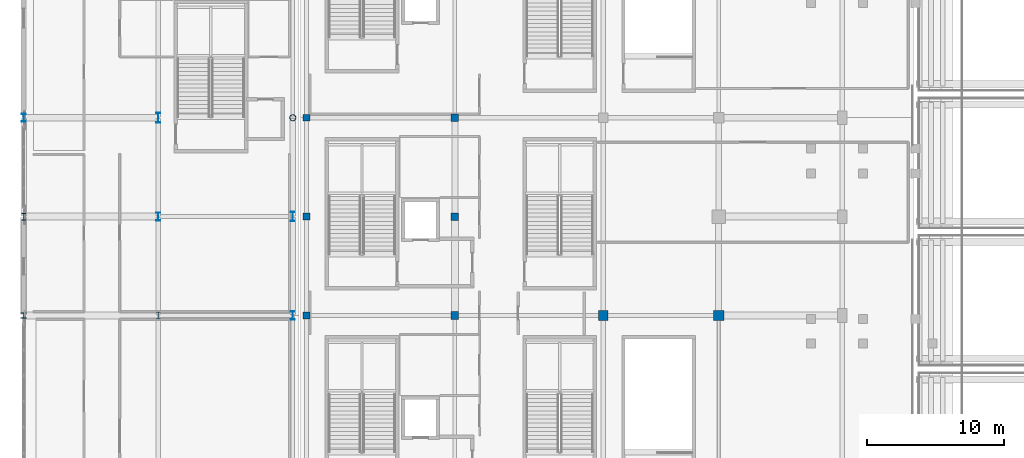
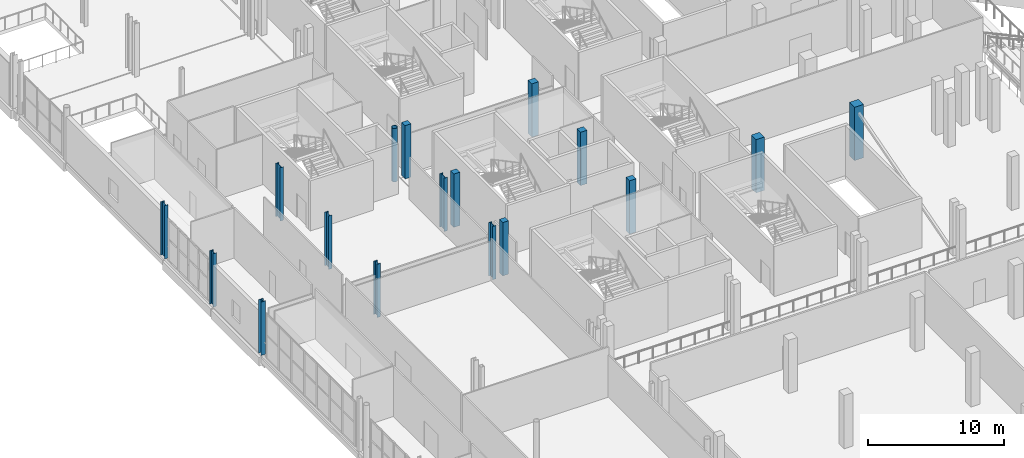
# One storey, part 3 of 129: 17 columns.
"""IFC4 building model written with IfcOpenShell, lengths in metres."""

import ifcopenshell
import ifcopenshell.guid

model = None  # the IFC model being written
_history = None  # IfcOwnerHistory: only IFC2X3 demands one
_inside = {}  # id of a spatial element -> (the spatial element, [elements in it])
_under = {}  # id of a project, library or spatial element -> (it, [spatial elements below it])
_declared = {}  # id of a project -> (the project, [libraries it declares])
_typed = {}  # id of a type object -> (the type object, [elements of that type])
_made_of = {}  # id of a material, layer set ... -> (it, [elements and type objects made of it])


def new_model(schema):
    """Start an empty IFC model of exactly this schema.

    Asked for "IFC4X3", IfcOpenShell would pick the latest addendum, in which some entities
    have other attributes; the version numbers below select the first issue.
    IFC2X3 requires an IfcOwnerHistory on every rooted entity: one is made here for all.
    """
    global model, _history
    if schema == "IFC4X3":
        model = ifcopenshell.file(schema_version=(4, 3, 0, 0))
    else:
        model = ifcopenshell.file(schema=schema)
    _inside.clear()
    _under.clear()
    _declared.clear()
    _typed.clear()
    _made_of.clear()
    _history = None
    if model.schema == "IFC2X3":
        org = make("IfcOrganization", Name="unknown")
        user = make(
            "IfcPersonAndOrganization",
            ThePerson=make("IfcPerson", FamilyName="unknown"),
            TheOrganization=org,
        )
        app = make(
            "IfcApplication",
            ApplicationDeveloper=org,
            Version="unknown",
            ApplicationFullName="unknown",
            ApplicationIdentifier="unknown",
        )
        _history = make(
            "IfcOwnerHistory",
            OwningUser=user,
            OwningApplication=app,
            ChangeAction="ADDED",
            CreationDate=0,
        )
    return model


def make(cls, **values):
    """One entity of the class cls with the attributes given. An attribute that is None is left unset."""
    return model.create_entity(
        cls, **{name: value for name, value in values.items() if value is not None}
    )


def rooted(cls, **values):
    """An entity with a GlobalId (a new one), such as an element, a storey or a relation."""
    return make(cls, GlobalId=ifcopenshell.guid.new(), OwnerHistory=_history, **values)


def si_unit(unit_type, name, prefix=None):
    """IfcSIUnit, for example si_unit("LENGTHUNIT", "METRE", prefix="MILLI")."""
    return make("IfcSIUnit", UnitType=unit_type, Prefix=prefix, Name=name)


def assignment(units):
    """IfcUnitAssignment: the units of a project."""
    return None if units is None else make("IfcUnitAssignment", Units=units)


def point(xyz):
    """IfcCartesianPoint."""
    return None if xyz is None else make("IfcCartesianPoint", Coordinates=xyz)


def direction(xyz):
    """IfcDirection."""
    return None if xyz is None else make("IfcDirection", DirectionRatios=xyz)


def frame(location, z_axis=None, x_axis=None):
    """IfcAxis2Placement3D, a coordinate frame: its origin and axes. An axis left out is left unset."""
    return make(
        "IfcAxis2Placement3D",
        Location=point(location),
        Axis=direction(z_axis),
        RefDirection=direction(x_axis),
    )


def frame_2d(location, x_axis=None):
    """IfcAxis2Placement2D, a coordinate frame in the plane: its origin and x axis."""
    return make(
        "IfcAxis2Placement2D", Location=point(location), RefDirection=direction(x_axis)
    )


def origin():
    """The frame at (0, 0, 0) with its axes left unset."""
    return frame((0.0, 0.0, 0.0))


def origin_2d():
    """The frame at (0, 0) in the plane with its x axis left unset."""
    return frame_2d((0.0, 0.0))


def place(relative_to, where):
    """IfcLocalPlacement: puts the frame where relative to a parent placement (None: the world)."""
    return make(
        "IfcLocalPlacement", PlacementRelTo=relative_to, RelativePlacement=where
    )


def context(
    kind, dimensions, precision=None, world=None, true_north=None, identifier=None
):
    """IfcGeometricRepresentationContext, for example the 3D "Model" context."""
    return make(
        "IfcGeometricRepresentationContext",
        ContextIdentifier=identifier,
        ContextType=kind,
        CoordinateSpaceDimension=dimensions,
        Precision=precision,
        WorldCoordinateSystem=world,
        TrueNorth=true_north,
    )


def subcontext(parent, identifier, kind, view, scale=None):
    """IfcGeometricRepresentationSubContext, for example "Body" below "Model"."""
    return make(
        "IfcGeometricRepresentationSubContext",
        ContextIdentifier=identifier,
        ContextType=kind,
        ParentContext=parent,
        TargetScale=scale,
        TargetView=view,
    )


def project(units=None, contexts=None):
    """IfcProject with its units and contexts."""
    return rooted(
        "IfcProject",
        Name="project",
        RepresentationContexts=contexts,
        UnitsInContext=assignment(units),
    )


def spatial(cls, under=None, at=None, **own):
    """A site, building, storey or space (cls), placed at a placement, below another one or the project."""
    s = rooted(cls, ObjectPlacement=at, **own)
    if under is not None:
        _under.setdefault(under.id(), (under, []))[1].append(s)
    return s


def profile(cls, at=None, kind="AREA", **sizes):
    """A parametric profile (cls). Its sizes go by their IFC names, for example OverallWidth=200.0."""
    return make(cls, ProfileType=kind, Position=at, **sizes)


def rectangle(**sizes):
    """IfcRectangleProfileDef."""
    return profile("IfcRectangleProfileDef", **sizes)


def hollow_circle(**sizes):
    """IfcCircleHollowProfileDef."""
    return profile("IfcCircleHollowProfileDef", **sizes)


def i_section(**sizes):
    """IfcIShapeProfileDef."""
    return profile("IfcIShapeProfileDef", **sizes)


def extrude(swept, where, along, depth):
    """IfcExtrudedAreaSolid: the profile swept, set in the frame where, extruded along a direction by depth."""
    return make(
        "IfcExtrudedAreaSolid",
        SweptArea=swept,
        Position=where,
        ExtrudedDirection=direction(along),
        Depth=depth,
    )


def shape(context_of_items, identifier, shape_type, items):
    """IfcShapeRepresentation: the items that make up one representation, for example the "Body"."""
    return make(
        "IfcShapeRepresentation",
        ContextOfItems=context_of_items,
        RepresentationIdentifier=identifier,
        RepresentationType=shape_type,
        Items=items,
    )


def material(Name=None, Category=None):
    """IfcMaterial."""
    return make("IfcMaterial", Name=Name, Category=Category)


def material_profile(
    of_material, cross_section, Name=None, Category=None, Priority=None
):
    """IfcMaterialProfile: a cross section and its material."""
    return make(
        "IfcMaterialProfile",
        Name=Name,
        Material=of_material,
        Profile=cross_section,
        Priority=Priority,
        Category=Category,
    )


def profile_set(profiles, Name=None, composite=None):
    """IfcMaterialProfileSet."""
    return make(
        "IfcMaterialProfileSet",
        Name=Name,
        MaterialProfiles=profiles,
        CompositeProfile=composite,
    )


def made_of(thing, what):
    """Note that an element or type object is made of a material, layer set ...; save() writes the relation."""
    if what is not None:
        _made_of.setdefault(what.id(), (what, []))[1].append(thing)
    return thing


def type_object(cls, material=None, **own):
    """A type object (cls), such as IfcWallType, which elements share."""
    return made_of(rooted(cls, **own), material)


def element(
    cls,
    number,
    at=None,
    inside=None,
    cuts=None,
    type_object=None,
    material=None,
    context=None,
    identifier="Body",
    shape_type=None,
    held_by="IfcProductDefinitionShape",
    body=None,
    shapes=None,
    **own,
):
    """One element of the class cls, such as IfcWall. Its Tag is "e" and its number.

    at: its placement. inside: the storey or other place that contains it. cuts: it is an
    opening in that element (IfcRelVoidsElement). A single representation is given by context,
    identifier, shape_type and body (its items); several are given by shapes. held_by: the class
    of the entity that holds the representations. save() writes the other relations.
    """
    e = rooted(cls, Tag="e%d" % number, ObjectPlacement=at, **own)
    if body is not None:
        shapes = [shape(context, identifier, shape_type, body)]
    if shapes is not None:
        e.Representation = make(held_by, Representations=shapes)
    if inside is not None:
        _inside.setdefault(inside.id(), (inside, []))[1].append(e)
    if cuts is not None:
        rooted(
            "IfcRelVoidsElement", RelatingBuildingElement=cuts, RelatedOpeningElement=e
        )
    if type_object is not None:
        _typed.setdefault(type_object.id(), (type_object, []))[1].append(e)
    return made_of(e, material)


def aggregate(whole, parts):
    """IfcRelAggregates: a whole, such as a stair, and the parts it consists of."""
    return rooted("IfcRelAggregates", RelatingObject=whole, RelatedObjects=parts)


def save(model, path):
    """Write the relations noted so far, then the file.

    IfcRelAggregates (storeys below a building ...), IfcRelContainedInSpatialStructure (elements
    in a storey), IfcRelDefinesByType, IfcRelAssociatesMaterial and IfcRelDeclares: one each for
    every whole, place, type object, material and project.
    """
    for whole, parts in _under.values():
        aggregate(whole, parts)
    for where, things in _inside.values():
        rooted(
            "IfcRelContainedInSpatialStructure",
            RelatedElements=things,
            RelatingStructure=where,
        )
    for kind, things in _typed.values():
        rooted("IfcRelDefinesByType", RelatedObjects=things, RelatingType=kind)
    for what, things in _made_of.values():
        rooted("IfcRelAssociatesMaterial", RelatedObjects=things, RelatingMaterial=what)
    for by, libraries in _declared.values():
        rooted("IfcRelDeclares", RelatingContext=by, RelatedDefinitions=libraries)
    model.write(path)


model = new_model("IFC4")

# Units and contexts
model_context = context("Model", 3, precision=1e-05, world=origin(), true_north=direction((0.0, 1.0)))
body_context = subcontext(model_context, "Body", "Model", "MODEL_VIEW")
ifc_project = project(units=[si_unit("LENGTHUNIT", "METRE"), si_unit("AREAUNIT", "SQUARE_METRE"), si_unit("VOLUMEUNIT", "CUBIC_METRE"), si_unit("PLANEANGLEUNIT", "RADIAN"), si_unit("MASSUNIT", "GRAM", prefix="KILO")], contexts=[model_context])

# Site, building, storey
site_placement = place(None, origin())
site = spatial("IfcSite", under=ifc_project, at=site_placement, CompositionType="ELEMENT")
building_placement = place(site_placement, origin())
building = spatial("IfcBuilding", under=site, at=building_placement, Name="Koshinbarg Plaza Stadium", CompositionType="ELEMENT")
storey_placement = place(building_placement, frame((0.0, 0.0, 5.39990234375)))
storey = spatial("IfcBuildingStorey", under=building, at=storey_placement, Name="L01", CompositionType="ELEMENT", Elevation=5.39990234375)

# Columns
ifc_material_1 = material(Name="Concrete C40/50", Category="concrete")
ifc_material_profile_1 = material_profile(ifc_material_1, rectangle(XDim=0.5, YDim=0.5, at=origin_2d()), Name="RC 500x500")
ifc_profile_set_1 = profile_set([ifc_material_profile_1], Name="Concrete C40/50")
column_type_1 = type_object("IfcColumnType", Name="COL-RC-02", PredefinedType="COLUMN", material=ifc_profile_set_1)
for number, where, z_axis, x_axis, name in (
    (1, (24.60009765625, 39.89990234375, 0.0), (0.0, 0.0, 1.0), (1.0, 0.0, 0.0), "L01 column 5/F"),
    (2, (24.60009765625, 47.10009765625, 0.0), (0.0, 0.0, 1.0), (1.0, 0.0, 0.0), "L01 column 5/G"),
    (3, (24.60009765625, 54.300048828125, 0.0), (0.0, 0.0, 1.0), (1.0, 0.0, 0.0), "L01 column 5/H"),
):
    element("IfcColumn", number, at=place(storey_placement, frame(where, z_axis=z_axis, x_axis=x_axis)), inside=storey, type_object=column_type_1, Name=name, PredefinedType="COLUMN", context=body_context, shape_type="SweptSolid", body=[
        extrude(rectangle(XDim=0.5, YDim=0.5, at=origin_2d()), origin(), (0.0, 0.0, 1.0), 4.800048828125),
    ])
ifc_material_profile_2 = material_profile(ifc_material_1, rectangle(XDim=0.550048828125, YDim=0.550048828125, at=origin_2d()), Name="RC 550x550")
ifc_profile_set_2 = profile_set([ifc_material_profile_2], Name="Concrete C40/50")
column_type_2 = type_object("IfcColumnType", Name="COL-RC-03", PredefinedType="COLUMN", material=ifc_profile_set_2)
for number, where, z_axis, x_axis, name in (
    (4, (35.39990234375, 39.89990234375, 0.0), (0.0, 0.0, 1.0), (1.0, 0.0, 0.0), "L01 column 6/F"),
    (5, (35.39990234375, 47.10009765625, 0.0), (0.0, 0.0, 1.0), (1.0, 0.0, 0.0), "L01 column 6/G"),
    (6, (35.39990234375, 54.300048828125, 0.0), (0.0, 0.0, 1.0), (1.0, 0.0, 0.0), "L01 column 6/H"),
):
    element("IfcColumn", number, at=place(storey_placement, frame(where, z_axis=z_axis, x_axis=x_axis)), inside=storey, type_object=column_type_2, Name=name, PredefinedType="COLUMN", context=body_context, shape_type="SweptSolid", body=[
        extrude(rectangle(XDim=0.550048828125, YDim=0.550048828125, at=origin_2d()), origin(), (0.0, 0.0, 1.0), 4.800048828125),
    ])
ifc_material_profile_3 = material_profile(ifc_material_1, rectangle(XDim=0.699951171875, YDim=0.699951171875, at=origin_2d()), Name="RC 700x700")
ifc_profile_set_3 = profile_set([ifc_material_profile_3], Name="Concrete C40/50")
column_type_3 = type_object("IfcColumnType", Name="COL-RC-06", PredefinedType="COLUMN", material=ifc_profile_set_3)
column_1_placement = place(storey_placement, frame((46.199951171875, 39.89990234375, 0.0), z_axis=(0.0, 0.0, 1.0), x_axis=(1.0, 0.0, 0.0)))
element("IfcColumn", 7, at=column_1_placement, inside=storey, type_object=column_type_3, Name="L01 column 7/F", PredefinedType="COLUMN", context=body_context, shape_type="SweptSolid", body=[
    extrude(rectangle(XDim=0.699951171875, YDim=0.699951171875, at=origin_2d()), origin(), (0.0, 0.0, 1.0), 4.800048828125),
])
ifc_material_profile_4 = material_profile(ifc_material_1, rectangle(XDim=0.75, YDim=0.75, at=origin_2d()), Name="RC 750x750")
ifc_profile_set_4 = profile_set([ifc_material_profile_4], Name="Concrete C40/50")
column_type_4 = type_object("IfcColumnType", Name="COL-RC-07", PredefinedType="COLUMN", material=ifc_profile_set_4)
column_2_placement = place(storey_placement, frame((54.60009765625, 39.89990234375, 0.0), z_axis=(0.0, 0.0, 1.0), x_axis=(1.0, 0.0, 0.0)))
element("IfcColumn", 8, at=column_2_placement, inside=storey, type_object=column_type_4, Name="L01 column 8/F", PredefinedType="COLUMN", context=body_context, shape_type="SweptSolid", body=[
    extrude(rectangle(XDim=0.75, YDim=0.75, at=origin_2d()), origin(), (0.0, 0.0, 1.0), 4.800048828125),
])
ifc_material_2 = material(Name="Steel S355", Category="steel")
ifc_material_profile_5 = material_profile(ifc_material_2, i_section(OverallWidth=0.39501953125, OverallDepth=0.3798828125, WebThickness=0.018798828125, FlangeThickness=0.0302734375, at=origin_2d()), Name="HD 400x237")
ifc_profile_set_5 = profile_set([ifc_material_profile_5], Name="Steel S355")
column_type_5 = type_object("IfcColumnType", Name="COL-STL-01", PredefinedType="COLUMN", material=ifc_profile_set_5)
column_3_placement = place(storey_placement, frame((4.0, 39.89990234375, 0.0), z_axis=(0.0, 0.0, 1.0), x_axis=(1.0, 0.0, 0.0)))
element("IfcColumn", 9, at=column_3_placement, inside=storey, type_object=column_type_5, Name="L01 column 2/F", PredefinedType="COLUMN", context=body_context, shape_type="SweptSolid", body=[
    extrude(i_section(OverallWidth=0.39501953125, OverallDepth=0.3798828125, WebThickness=0.018798828125, FlangeThickness=0.0302734375, at=origin_2d()), origin(), (0.0, 0.0, 1.0), 4.800048828125),
])
ifc_material_profile_6 = material_profile(ifc_material_2, i_section(OverallWidth=0.300048828125, OverallDepth=0.5, WebThickness=0.014404296875, FlangeThickness=0.028076171875, at=origin_2d()), Name="HEB 500")
ifc_profile_set_6 = profile_set([ifc_material_profile_6], Name="Steel S355")
column_type_6 = type_object("IfcColumnType", Name="COL-STL-02", PredefinedType="COLUMN", material=ifc_profile_set_6)
for number, where, z_axis, x_axis, name in (
    (10, (4.0, 47.10009765625, 0.0), (0.0, 0.0, 1.0), (1.0, 0.0, 0.0), "L01 column 2/G"),
    (11, (13.800048828125, 39.89990234375, 0.0), (0.0, 0.0, 1.0), (1.0, 0.0, 0.0), "L01 column 3/F"),
):
    element("IfcColumn", number, at=place(storey_placement, frame(where, z_axis=z_axis, x_axis=x_axis)), inside=storey, type_object=column_type_6, Name=name, PredefinedType="COLUMN", context=body_context, shape_type="SweptSolid", body=[
        extrude(i_section(OverallWidth=0.300048828125, OverallDepth=0.5, WebThickness=0.014404296875, FlangeThickness=0.028076171875, at=origin_2d()), origin(), (0.0, 0.0, 1.0), 4.800048828125),
    ])
ifc_material_profile_7 = material_profile(ifc_material_2, i_section(OverallWidth=0.300048828125, OverallDepth=0.60009765625, WebThickness=0.015380859375, FlangeThickness=0.030029296875, at=origin_2d()), Name="HEB 600")
ifc_profile_set_7 = profile_set([ifc_material_profile_7], Name="Steel S355")
column_type_7 = type_object("IfcColumnType", Name="COL-STL-03", PredefinedType="COLUMN", material=ifc_profile_set_7)
for number, where, z_axis, x_axis, name in (
    (12, (4.0, 54.300048828125, 0.0), (0.0, 0.0, 1.0), (1.0, 0.0, 0.0), "L01 column 2/H"),
    (13, (13.800048828125, 47.10009765625, 0.0), (0.0, 0.0, 1.0), (1.0, 0.0, 0.0), "L01 column 3/G"),
    (14, (23.60009765625, 39.89990234375, 0.0), (0.0, 0.0, 1.0), (1.0, 0.0, 0.0), "L01 column 4/F"),
):
    element("IfcColumn", number, at=place(storey_placement, frame(where, z_axis=z_axis, x_axis=x_axis)), inside=storey, type_object=column_type_7, Name=name, PredefinedType="COLUMN", context=body_context, shape_type="SweptSolid", body=[
        extrude(i_section(OverallWidth=0.300048828125, OverallDepth=0.60009765625, WebThickness=0.015380859375, FlangeThickness=0.030029296875, at=origin_2d()), origin(), (0.0, 0.0, 1.0), 4.800048828125),
    ])
ifc_material_profile_8 = material_profile(ifc_material_2, i_section(OverallWidth=0.300048828125, OverallDepth=0.699951171875, WebThickness=0.01708984375, FlangeThickness=0.031982421875, at=origin_2d()), Name="HEB 700")
ifc_profile_set_8 = profile_set([ifc_material_profile_8], Name="Steel S355")
column_type_8 = type_object("IfcColumnType", Name="COL-STL-04", PredefinedType="COLUMN", material=ifc_profile_set_8)
for number, where, z_axis, x_axis, name in (
    (15, (13.800048828125, 54.300048828125, 0.0), (0.0, 0.0, 1.0), (1.0, 0.0, 0.0), "L01 column 3/H"),
    (16, (23.60009765625, 47.10009765625, 0.0), (0.0, 0.0, 1.0), (1.0, 0.0, 0.0), "L01 column 4/G"),
):
    element("IfcColumn", number, at=place(storey_placement, frame(where, z_axis=z_axis, x_axis=x_axis)), inside=storey, type_object=column_type_8, Name=name, PredefinedType="COLUMN", context=body_context, shape_type="SweptSolid", body=[
        extrude(i_section(OverallWidth=0.300048828125, OverallDepth=0.699951171875, WebThickness=0.01708984375, FlangeThickness=0.031982421875, at=origin_2d()), origin(), (0.0, 0.0, 1.0), 4.800048828125),
    ])
ifc_material_profile_9 = material_profile(ifc_material_2, hollow_circle(Radius=0.228515625, WallThickness=0.02001953125, at=origin_2d()), Name="CHS 457x20")
ifc_profile_set_9 = profile_set([ifc_material_profile_9], Name="Steel S355")
column_type_9 = type_object("IfcColumnType", Name="COL-STL-05", PredefinedType="COLUMN", material=ifc_profile_set_9)
column_4_placement = place(storey_placement, frame((23.60009765625, 54.300048828125, 0.0), z_axis=(0.0, 0.0, 1.0), x_axis=(1.0, 0.0, 0.0)))
element("IfcColumn", 17, at=column_4_placement, inside=storey, type_object=column_type_9, Name="L01 column 4/H", PredefinedType="COLUMN", context=body_context, shape_type="SweptSolid", body=[
    extrude(hollow_circle(Radius=0.228515625, WallThickness=0.02001953125, at=origin_2d()), origin(), (0.0, 0.0, 1.0), 4.800048828125),
])

save(model, "model.ifc")
